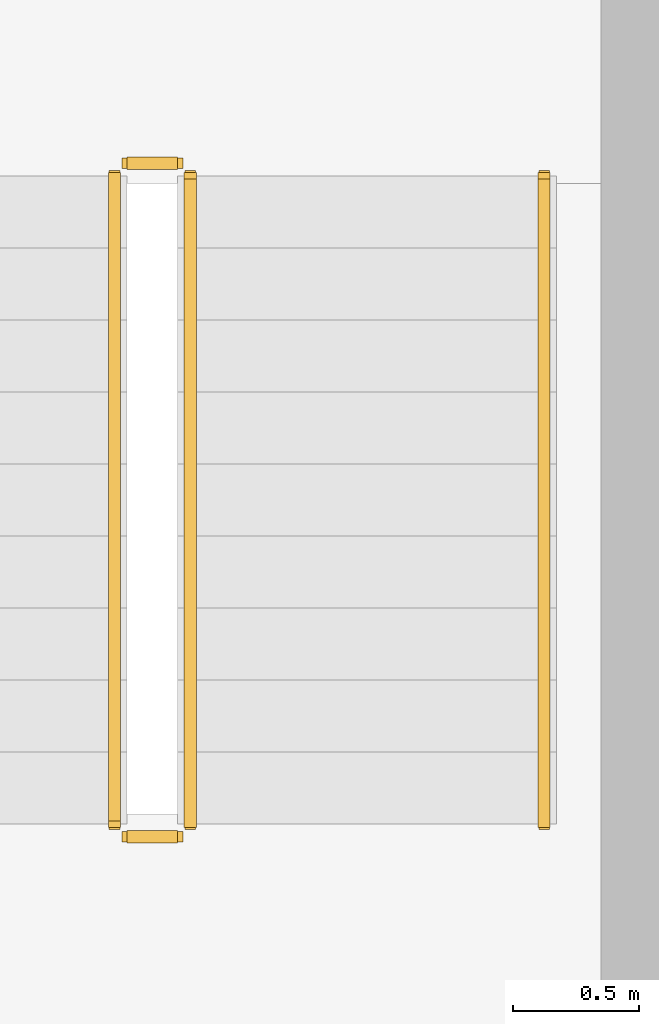
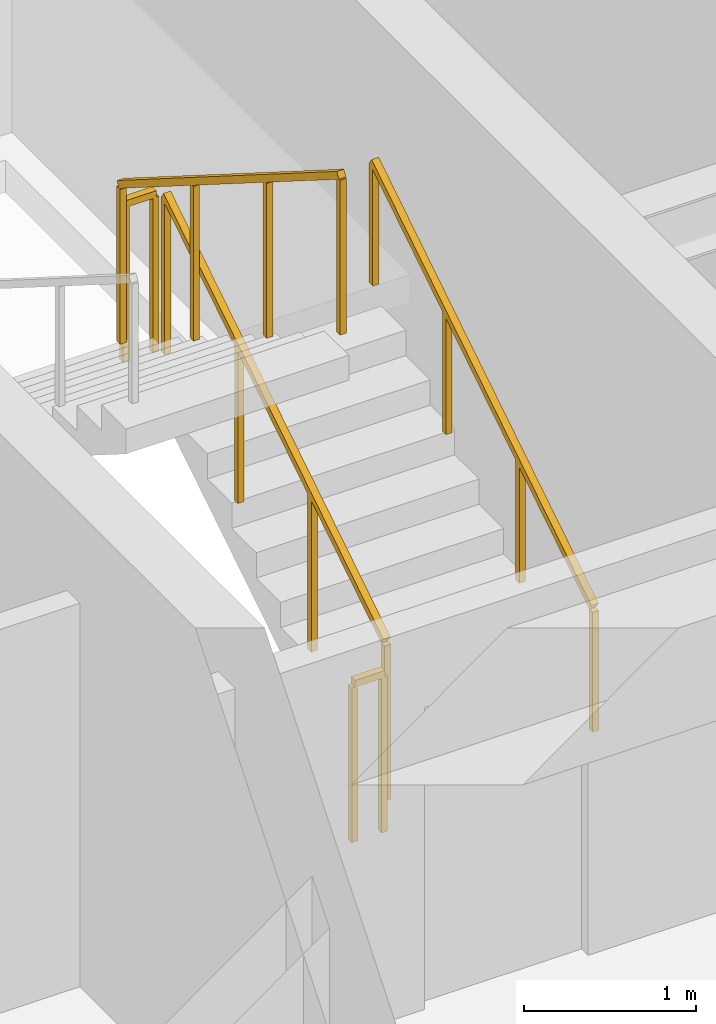
# One storey, part 22 of 22: 5 railings.
"""IFC4 building model written with IfcOpenShell, lengths in metres."""

from ifc_helpers import new_model, si_unit, direction, frame, origin, origin_2d, place, context, subcontext, project, spatial, rectangle, extrude, material, type_object, element, save


model = new_model("IFC4")

# Units and contexts
model_context = context("Model", 3, precision=1e-05, world=origin(), true_north=direction((0.0, 1.0)))
body_context = subcontext(model_context, "Body", "Model", "MODEL_VIEW")
ifc_project = project(units=[si_unit("LENGTHUNIT", "METRE"), si_unit("AREAUNIT", "SQUARE_METRE"), si_unit("VOLUMEUNIT", "CUBIC_METRE"), si_unit("PLANEANGLEUNIT", "RADIAN"), si_unit("MASSUNIT", "GRAM", prefix="KILO")], contexts=[model_context])

# Site, building, storey
site_placement = place(None, origin())
site = spatial("IfcSite", under=ifc_project, at=site_placement, CompositionType="ELEMENT")
building_placement = place(site_placement, origin())
building = spatial("IfcBuilding", under=site, at=building_placement, Name="Sarneth Arch Tower", CompositionType="ELEMENT")
storey_placement = place(building_placement, frame((0.0, 0.0, 291.0)))
storey = spatial("IfcBuildingStorey", under=building, at=storey_placement, Name="L75", CompositionType="ELEMENT", Elevation=291.0)

# Railings
ifc_material_1 = material(Name="Brushed Stainless Steel 304 tubular handrail", Category="steel")
railing_type_1 = type_object("IfcRailingType", Name="RAIL-HANDRAIL-900", PredefinedType="HANDRAIL", material=ifc_material_1)
railing_1_placement = place(storey_placement, frame((58.60009765625, 41.449951171875, 0.179931640625)))
element("IfcRailing", 1, at=railing_1_placement, inside=storey, type_object=railing_type_1, Name="L75 ST-2 stair handrail 1", PredefinedType="HANDRAIL", context=body_context, shape_type="SweptSolid", body=[
    extrude(rectangle(XDim=0.048095703125, YDim=0.048095703125, at=origin_2d()), frame((0.0, 0.0, 0.8759765625), z_axis=(0.0, 0.845465955043, 0.534029323973), x_axis=(-1.0, 0.0, 0.0)), (0.0, 0.0, 1.0), 3.03369140625),
    extrude(rectangle(XDim=0.0419921875, YDim=0.0419921875, at=origin_2d()), origin(), (0.0, 0.0, 1.0), 0.851806640625),
    extrude(rectangle(XDim=0.0419921875, YDim=0.0419921875, at=origin_2d()), frame((0.0, 0.85498046875, 0.5400390625)), (0.0, 0.0, 1.0), 0.851806640625),
    extrude(rectangle(XDim=0.0419921875, YDim=0.0419921875, at=origin_2d()), frame((0.0, 1.7099609375, 1.080078125)), (0.0, 0.0, 1.0), 0.851806640625),
    extrude(rectangle(XDim=0.0419921875, YDim=0.0419921875, at=origin_2d()), frame((0.0, 2.56494140625, 1.6201171875)), (0.0, 0.0, 1.0), 0.851806640625),
])
ifc_material_2 = material(Name="Painted Steel S275 stair well guard", Category="steel")
railing_type_2 = type_object("IfcRailingType", Name="RAIL-STAIR-GUARD", PredefinedType="GUARDRAIL", material=ifc_material_2)
railing_2_placement = place(storey_placement, frame((57.199951171875, 41.449951171875, 0.179931640625)))
element("IfcRailing", 2, at=railing_2_placement, inside=storey, type_object=railing_type_2, Name="L75 ST-2 stair guard 1", PredefinedType="GUARDRAIL", context=body_context, shape_type="SweptSolid", body=[
    extrude(rectangle(XDim=0.048095703125, YDim=0.048095703125, at=origin_2d()), frame((0.0, 0.0, 1.1259765625), z_axis=(0.0, 0.845465955043, 0.534029323973), x_axis=(-1.0, 0.0, 0.0)), (0.0, 0.0, 1.0), 3.03369140625),
    extrude(rectangle(XDim=0.0419921875, YDim=0.0419921875, at=origin_2d()), origin(), (0.0, 0.0, 1.0), 1.101806640625),
    extrude(rectangle(XDim=0.0419921875, YDim=0.0419921875, at=origin_2d()), frame((0.0, 0.85498046875, 0.5400390625)), (0.0, 0.0, 1.0), 1.101806640625),
    extrude(rectangle(XDim=0.0419921875, YDim=0.0419921875, at=origin_2d()), frame((0.0, 1.7099609375, 1.080078125)), (0.0, 0.0, 1.0), 1.101806640625),
    extrude(rectangle(XDim=0.0419921875, YDim=0.0419921875, at=origin_2d()), frame((0.0, 2.56494140625, 1.6201171875)), (0.0, 0.0, 1.0), 1.101806640625),
])
railing_3_placement = place(storey_placement, frame((57.14990234375, 44.06494140625, 1.800048828125)))
element("IfcRailing", 3, at=railing_3_placement, inside=storey, type_object=railing_type_2, Name="L75 ST-2 stair guard 2", PredefinedType="GUARDRAIL", context=body_context, shape_type="SweptSolid", body=[
    extrude(rectangle(XDim=0.048095703125, YDim=0.048095703125, at=origin_2d()), frame((0.0, 0.0, 1.1259765625), z_axis=(-1.0, 0.0, 0.0), x_axis=(0.0, -1.0, 0.0)), (0.0, 0.0, 1.0), 0.199951171875),
    extrude(rectangle(XDim=0.0419921875, YDim=0.0419921875, at=origin_2d()), origin(), (0.0, 0.0, 1.0), 1.101806640625),
    extrude(rectangle(XDim=0.0419921875, YDim=0.0419921875, at=origin_2d()), frame((-0.199951171875, 0.0, 0.0)), (0.0, 0.0, 1.0), 1.101806640625),
])
railing_4_placement = place(storey_placement, frame((56.89990234375, 44.014892578125, 1.97998046875)))
element("IfcRailing", 4, at=railing_4_placement, inside=storey, type_object=railing_type_2, Name="L75 ST-2 stair guard 3", PredefinedType="GUARDRAIL", context=body_context, shape_type="SweptSolid", body=[
    extrude(rectangle(XDim=0.048095703125, YDim=0.048095703125, at=origin_2d()), frame((0.0, 0.0, 1.1259765625), z_axis=(0.0, -0.845465955043, 0.534029323973), x_axis=(1.0, 0.0, 0.0)), (0.0, 0.0, 1.0), 3.03369140625),
    extrude(rectangle(XDim=0.0419921875, YDim=0.0419921875, at=origin_2d()), origin(), (0.0, 0.0, 1.0), 1.101806640625),
    extrude(rectangle(XDim=0.0419921875, YDim=0.0419921875, at=origin_2d()), frame((0.0, -0.85498046875, 0.5400390625)), (0.0, 0.0, 1.0), 1.101806640625),
    extrude(rectangle(XDim=0.0419921875, YDim=0.0419921875, at=origin_2d()), frame((0.0, -1.7099609375, 1.080078125)), (0.0, 0.0, 1.0), 1.101806640625),
    extrude(rectangle(XDim=0.0419921875, YDim=0.0419921875, at=origin_2d()), frame((0.0, -2.56494140625, 1.6201171875)), (0.0, 0.0, 1.0), 1.101806640625),
])
railing_5_placement = place(storey_placement, frame((57.14990234375, 41.39990234375, 0.0)))
element("IfcRailing", 5, at=railing_5_placement, inside=storey, type_object=railing_type_2, Name="L75 ST-2 stair guard 4", PredefinedType="GUARDRAIL", context=body_context, shape_type="SweptSolid", body=[
    extrude(rectangle(XDim=0.048095703125, YDim=0.048095703125, at=origin_2d()), frame((0.0, 0.0, 1.1259765625), z_axis=(-1.0, 0.0, 0.0), x_axis=(0.0, -1.0, 0.0)), (0.0, 0.0, 1.0), 0.199951171875),
    extrude(rectangle(XDim=0.0419921875, YDim=0.0419921875, at=origin_2d()), origin(), (0.0, 0.0, 1.0), 1.101806640625),
    extrude(rectangle(XDim=0.0419921875, YDim=0.0419921875, at=origin_2d()), frame((-0.199951171875, 0.0, 0.0)), (0.0, 0.0, 1.0), 1.101806640625),
])

save(model, "model.ifc")
